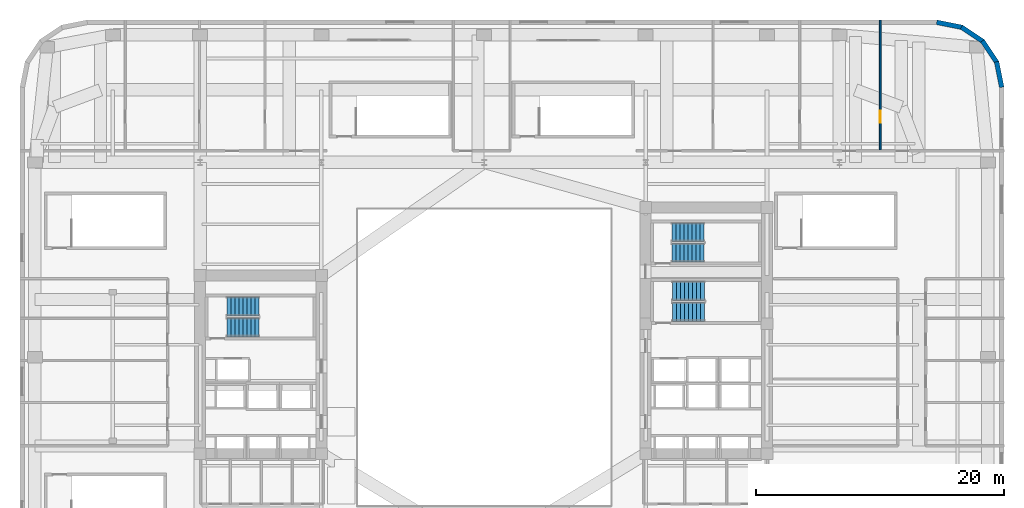
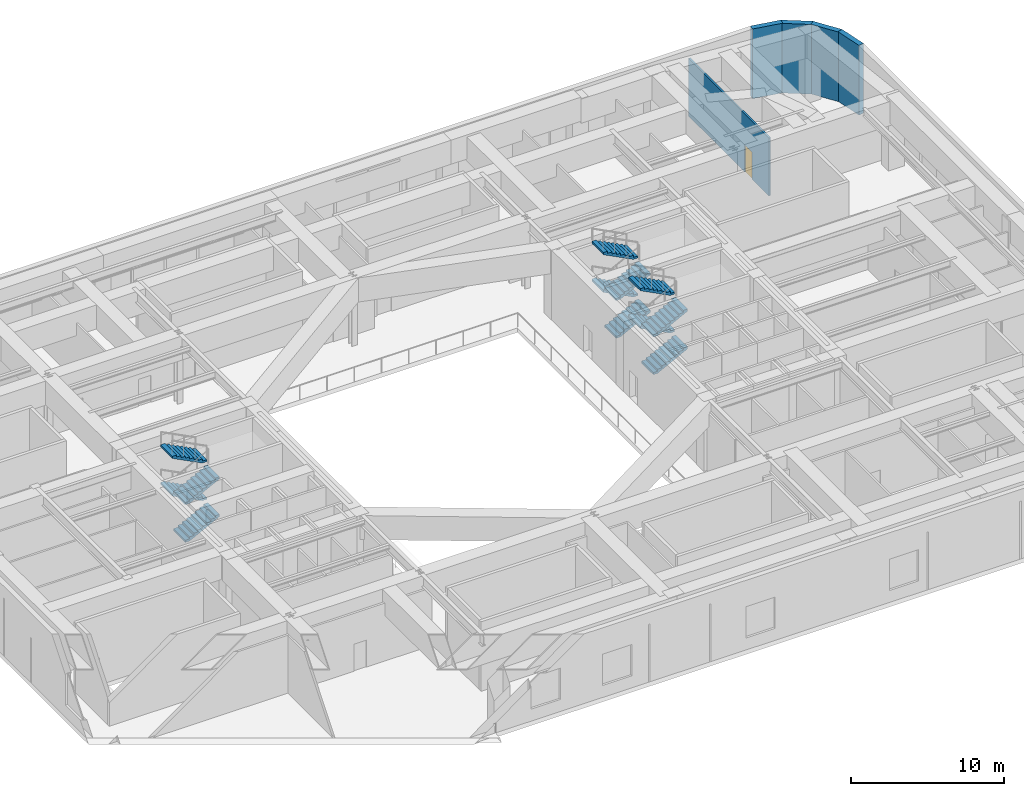
# One storey, part 11 of 16: 12 stair flights, 5 walls, 1 door, 1 opening, 3 elements without a shape of their own.
"""IFC4 building model written with IfcOpenShell, lengths in metres."""

from ifc_helpers import new_model, si_unit, direction, frame, frame_2d, origin, place, context, subcontext, project, spatial, polyline, rectangle, outline, extrude, material, layer, layer_set, type_object, element, fill, aggregate, save


model = new_model("IFC4")

# Units and contexts
model_context = context("Model", 3, precision=1e-05, world=origin(), true_north=direction((0.0, 1.0)))
body_context = subcontext(model_context, "Body", "Model", "MODEL_VIEW")
ifc_project = project(units=[si_unit("LENGTHUNIT", "METRE"), si_unit("AREAUNIT", "SQUARE_METRE"), si_unit("VOLUMEUNIT", "CUBIC_METRE"), si_unit("PLANEANGLEUNIT", "RADIAN"), si_unit("MASSUNIT", "GRAM", prefix="KILO")], contexts=[model_context])

# Site, building, storey
site_placement = place(None, origin())
site = spatial("IfcSite", under=ifc_project, at=site_placement, CompositionType="ELEMENT")
building_placement = place(site_placement, origin())
building = spatial("IfcBuilding", under=site, at=building_placement, Name="Kolvaren Arena Tower", CompositionType="ELEMENT")
storey_placement = place(building_placement, frame((0.0, 0.0, 28.0)))
storey = spatial("IfcBuildingStorey", under=building, at=storey_placement, Name="L05", CompositionType="ELEMENT", Elevation=28.0)

# Walls
ifc_material_1 = material(Name="Precast concrete C50/60", Category="concrete")
ifc_layer_1 = layer(ifc_material_1, 0.3798828125)
ifc_layer_set_1 = layer_set([ifc_layer_1], Name="Precast concrete C50/60")
wall_type_1 = type_object("IfcWallType", Name="EXT-ARENA", PredefinedType="SOLIDWALL", material=ifc_layer_set_1)
for number, where, z_axis, x_axis, name in (
    (1, (78.902587890625, 51.12939453125, 0.0), (0.0, 0.0, 1.0), (0.195135546048, -0.9807762837, 0.0), "Exterior Precast Masonry-Frame Wall (L05)"),
    (2, (77.760498046875, 52.812744140625, 0.0), (0.0, 0.0, 1.0), (0.555502146192, -0.831515102434, 0.0), "Exterior Precast Masonry-Frame Wall (L05)"),
    (3, (76.060791015625, 53.930908203125, 0.0), (0.0, 0.0, 1.0), (0.831515102434, -0.555502146192, 0.0), "Exterior Precast Masonry-Frame Wall (L05)"),
    (4, (74.06298828125, 54.313720703125, 0.0), (0.0, 0.0, 1.0), (0.9807762837, -0.195135546048, 0.0), "Exterior Precast Masonry-Frame Wall (L05)"),
):
    element("IfcWall", number, at=place(storey_placement, frame(where, z_axis=z_axis, x_axis=x_axis)), inside=storey, type_object=wall_type_1, Name=name, PredefinedType="SOLIDWALL", context=body_context, shape_type="SweptSolid", body=[
        extrude(rectangle(XDim=2.10693359375, YDim=0.3798828125, at=frame_2d((1.053466796875, 0.0))), origin(), (0.0, 0.0, 1.0), 5.550048828125),
    ])

# Wall, opening, door
ifc_material_2 = material(Name="Gypsum board partition assembly", Category="gypsum")
ifc_layer_2 = layer(ifc_material_2, 0.135009765625)
ifc_layer_set_2 = layer_set([ifc_layer_2], Name="Gypsum board partition assembly")
wall_type_2 = type_object("IfcWallType", Name="PART-135", PredefinedType="PARTITIONING", material=ifc_layer_set_2)
wall_placement = place(storey_placement, frame((69.5, 44.010009765625, 0.0), z_axis=(0.0, 0.0, 1.0), x_axis=(0.0, 1.0, 0.0)))
wall = element("IfcWall", 5, at=wall_placement, inside=storey, type_object=wall_type_2, Name="Interior Partition Wall (L05)", PredefinedType="PARTITIONING", context=body_context, shape_type="SweptSolid", body=[
    extrude(rectangle(XDim=10.489990234375, YDim=0.135009765625, at=frame_2d((5.2451171875, 0.0))), origin(), (0.0, 0.0, 1.0), 4.610107421875),
])
opening_placement = place(wall_placement, frame((2.199951171875, 0.0, 0.0)))
opening = element("IfcOpeningElement", 6, at=opening_placement, cuts=wall, Name="Opening D05", PredefinedType="OPENING", context=body_context, shape_type="SweptSolid", body=[
    extrude(rectangle(XDim=0.949951171875, YDim=2.14990234375, at=frame_2d((0.47509765625, 1.074951171875))), frame((0.0, 0.077392578125, 0.0), z_axis=(0.0, -1.0, 0.0), x_axis=(1.0, 0.0, 0.0)), (0.0, 0.0, 1.0), 0.155029296875),
])
ifc_material_3 = material(Name="Solid-core oak acoustic office door", Category="wood")
door_type = type_object("IfcDoorType", Name="DOOR-OF-095", OperationType="NOTDEFINED", PredefinedType="DOOR", material=ifc_material_3)
door_placement = place(opening_placement, origin())
door = element("IfcDoor", 7, at=door_placement, inside=storey, type_object=door_type, Name="VIP Merchandise Room Connecting Door (L05)", OperationType="SINGLE_SWING_LEFT", OverallHeight=2.14990234375, OverallWidth=0.949951171875, PredefinedType="DOOR", context=body_context, shape_type="SweptSolid", body=[
    extrude(rectangle(XDim=0.949951171875, YDim=2.14990234375, at=frame_2d((0.47509765625, 1.074951171875))), frame((0.0, 0.02490234375, 0.0), z_axis=(0.0, -1.0, 0.0), x_axis=(1.0, 0.0, 0.0)), (0.0, 0.0, 1.0), 0.050048828125),
])
fill(opening, door)

# Stair, stair flights
ifc_material_4 = material(Name="Concrete 45 MPa", Category="concrete")
stair_type_1 = type_object("IfcStairType", Name="STAIR-CORE-150", PredefinedType="HALF_TURN_STAIR", material=ifc_material_4)
stair_1_placement = place(storey_placement, origin())
stair_1 = element("IfcStair", 8, at=stair_1_placement, inside=storey, type_object=stair_type_1, Name="L05 ST-E2", PredefinedType="HALF_TURN_STAIR")
stair_flight_type_1 = type_object("IfcStairFlightType", Name="FLT-150", PredefinedType="STRAIGHT", material=ifc_material_4)
stair_flight_1_placement = place(storey_placement, frame((52.679931640625, 35.699951171875, 0.0), z_axis=(0.0, 0.0, 1.0), x_axis=(1.0, 0.0, 0.0)))
stair_flight_1 = element("IfcStairFlight", 9, at=stair_flight_1_placement, type_object=stair_flight_type_1, Name="ST-E2 flight 1", NumberOfRisers=9, NumberOfTreads=8, PredefinedType="STRAIGHT", RiserHeight=0.166666667, TreadLength=0.324, context=body_context, shape_type="SweptSolid", body=[
    extrude(outline(polyline([(0.0, 0.0), (0.0, 0.166748046875), (0.323974609375, 0.166748046875), (0.323974609375, 0.333251953125), (0.64794921875, 0.333251953125), (0.64794921875, 0.5), (0.971923828125, 0.5), (0.971923828125, 0.666748046875), (1.2958984375, 0.666748046875), (1.2958984375, 0.833251953125), (1.6201171875, 0.833251953125), (1.6201171875, 1.0), (1.944091796875, 1.0), (1.944091796875, 1.166748046875), (2.26806640625, 1.166748046875), (2.26806640625, 1.333251953125), (2.592041015625, 1.333251953125), (2.592041015625, 1.5), (2.592041015625, 1.164794921875), (0.32763671875, 0.0), (0.0, 0.0)])), frame((0.0, 0.75, 0.0), z_axis=(0.0, -1.0, 0.0), x_axis=(1.0, 0.0, 0.0)), (0.0, 0.0, 1.0), 1.5),
])
stair_flight_2_placement = place(storey_placement, frame((55.27197265625, 37.35009765625, 1.5), z_axis=(0.0, 0.0, 1.0), x_axis=(-1.0, 0.0, 0.0)))
stair_flight_2 = element("IfcStairFlight", 10, at=stair_flight_2_placement, type_object=stair_flight_type_1, Name="ST-E2 flight 2", NumberOfRisers=9, NumberOfTreads=8, PredefinedType="STRAIGHT", RiserHeight=0.166666667, TreadLength=0.324, context=body_context, shape_type="SweptSolid", body=[
    extrude(outline(polyline([(0.0, 0.0), (0.0, 0.166748046875), (0.323974609375, 0.166748046875), (0.323974609375, 0.333251953125), (0.64794921875, 0.333251953125), (0.64794921875, 0.5), (0.971923828125, 0.5), (0.971923828125, 0.666748046875), (1.2958984375, 0.666748046875), (1.2958984375, 0.833251953125), (1.6201171875, 0.833251953125), (1.6201171875, 1.0), (1.944091796875, 1.0), (1.944091796875, 1.166748046875), (2.26806640625, 1.166748046875), (2.26806640625, 1.333251953125), (2.592041015625, 1.333251953125), (2.592041015625, 1.5), (2.592041015625, 1.164794921875), (0.32763671875, 0.0), (0.0, 0.0)])), frame((0.0, 0.75, 0.0), z_axis=(0.0, -1.0, 0.0), x_axis=(1.0, 0.0, 0.0)), (0.0, 0.0, 1.0), 1.5),
])
stair_flight_3_placement = place(storey_placement, frame((52.679931640625, 35.699951171875, 3.0), z_axis=(0.0, 0.0, 1.0), x_axis=(1.0, 0.0, 0.0)))
stair_flight_3 = element("IfcStairFlight", 11, at=stair_flight_3_placement, type_object=stair_flight_type_1, Name="ST-E2 flight 3", NumberOfRisers=9, NumberOfTreads=8, PredefinedType="STRAIGHT", RiserHeight=0.166666667, TreadLength=0.324, context=body_context, shape_type="SweptSolid", body=[
    extrude(outline(polyline([(0.0, 0.0), (0.0, 0.166748046875), (0.323974609375, 0.166748046875), (0.323974609375, 0.333251953125), (0.64794921875, 0.333251953125), (0.64794921875, 0.5), (0.971923828125, 0.5), (0.971923828125, 0.666748046875), (1.2958984375, 0.666748046875), (1.2958984375, 0.833251953125), (1.6201171875, 0.833251953125), (1.6201171875, 1.0), (1.944091796875, 1.0), (1.944091796875, 1.166748046875), (2.26806640625, 1.166748046875), (2.26806640625, 1.333251953125), (2.592041015625, 1.333251953125), (2.592041015625, 1.5), (2.592041015625, 1.164794921875), (0.32763671875, 0.0), (0.0, 0.0)])), frame((0.0, 0.75, 0.0), z_axis=(0.0, -1.0, 0.0), x_axis=(1.0, 0.0, 0.0)), (0.0, 0.0, 1.0), 1.5),
])
stair_flight_4_placement = place(storey_placement, frame((55.27197265625, 37.35009765625, 4.5), z_axis=(0.0, 0.0, 1.0), x_axis=(-1.0, 0.0, 0.0)))
stair_flight_4 = element("IfcStairFlight", 12, at=stair_flight_4_placement, type_object=stair_flight_type_1, Name="ST-E2 flight 4", NumberOfRisers=9, NumberOfTreads=8, PredefinedType="STRAIGHT", RiserHeight=0.166666667, TreadLength=0.324, context=body_context, shape_type="SweptSolid", body=[
    extrude(outline(polyline([(0.0, 0.0), (0.0, 0.166748046875), (0.323974609375, 0.166748046875), (0.323974609375, 0.333251953125), (0.64794921875, 0.333251953125), (0.64794921875, 0.5), (0.971923828125, 0.5), (0.971923828125, 0.666748046875), (1.2958984375, 0.666748046875), (1.2958984375, 0.833251953125), (1.6201171875, 0.833251953125), (1.6201171875, 1.0), (1.944091796875, 1.0), (1.944091796875, 1.166748046875), (2.26806640625, 1.166748046875), (2.26806640625, 1.333251953125), (2.592041015625, 1.333251953125), (2.592041015625, 1.5), (2.592041015625, 1.164794921875), (0.32763671875, 0.0), (0.0, 0.0)])), frame((0.0, 0.75, 0.0), z_axis=(0.0, -1.0, 0.0), x_axis=(1.0, 0.0, 0.0)), (0.0, 0.0, 1.0), 1.5),
])
aggregate(stair_1, [stair_flight_1, stair_flight_2, stair_flight_3, stair_flight_4])

stair_type_2 = type_object("IfcStairType", Name="STAIR-CORE-165", PredefinedType="HALF_TURN_STAIR", material=ifc_material_4)
stair_2_placement = place(storey_placement, origin())
stair_2 = element("IfcStair", 13, at=stair_2_placement, inside=storey, type_object=stair_type_2, Name="L05 ST-W1", PredefinedType="HALF_TURN_STAIR")
stair_flight_type_2 = type_object("IfcStairFlightType", Name="FLT-165", PredefinedType="STRAIGHT", material=ifc_material_4)
stair_flight_5_placement = place(storey_placement, frame((16.719970703125, 29.669921875, 0.0), z_axis=(0.0, 0.0, 1.0), x_axis=(1.0, 0.0, 0.0)))
stair_flight_5 = element("IfcStairFlight", 14, at=stair_flight_5_placement, type_object=stair_flight_type_2, Name="ST-W1 flight 1", NumberOfRisers=9, NumberOfTreads=8, PredefinedType="STRAIGHT", RiserHeight=0.166666667, TreadLength=0.324, context=body_context, shape_type="SweptSolid", body=[
    extrude(outline(polyline([(0.0, 0.0), (0.0, 0.166748046875), (0.323974609375, 0.166748046875), (0.323974609375, 0.333251953125), (0.64794921875, 0.333251953125), (0.64794921875, 0.5), (0.971923828125, 0.5), (0.971923828125, 0.666748046875), (1.2958984375, 0.666748046875), (1.2958984375, 0.833251953125), (1.6201171875, 0.833251953125), (1.6201171875, 1.0), (1.944091796875, 1.0), (1.944091796875, 1.166748046875), (2.26806640625, 1.166748046875), (2.26806640625, 1.333251953125), (2.592041015625, 1.333251953125), (2.592041015625, 1.5), (2.592041015625, 1.164794921875), (0.32763671875, 0.0), (0.0, 0.0)])), frame((0.0, 0.77001953125, 0.0), z_axis=(0.0, -1.0, 0.0), x_axis=(1.0, 0.0, 0.0)), (0.0, 0.0, 1.0), 1.5400390625),
])
stair_flight_6_placement = place(storey_placement, frame((19.31201171875, 31.360107421875, 1.5), z_axis=(0.0, 0.0, 1.0), x_axis=(-1.0, 0.0, 0.0)))
stair_flight_6 = element("IfcStairFlight", 15, at=stair_flight_6_placement, type_object=stair_flight_type_2, Name="ST-W1 flight 2", NumberOfRisers=9, NumberOfTreads=8, PredefinedType="STRAIGHT", RiserHeight=0.166666667, TreadLength=0.324, context=body_context, shape_type="SweptSolid", body=[
    extrude(outline(polyline([(0.0, 0.0), (0.0, 0.166748046875), (0.323974609375, 0.166748046875), (0.323974609375, 0.333251953125), (0.64794921875, 0.333251953125), (0.64794921875, 0.5), (0.971923828125, 0.5), (0.971923828125, 0.666748046875), (1.2958984375, 0.666748046875), (1.2958984375, 0.833251953125), (1.6201171875, 0.833251953125), (1.6201171875, 1.0), (1.944091796875, 1.0), (1.944091796875, 1.166748046875), (2.26806640625, 1.166748046875), (2.26806640625, 1.333251953125), (2.592041015625, 1.333251953125), (2.592041015625, 1.5), (2.592041015625, 1.164794921875), (0.32763671875, 0.0), (0.0, 0.0)])), frame((0.0, 0.77001953125, 0.0), z_axis=(0.0, -1.0, 0.0), x_axis=(1.0, 0.0, 0.0)), (0.0, 0.0, 1.0), 1.5400390625),
])
stair_flight_7_placement = place(storey_placement, frame((16.719970703125, 29.669921875, 3.0), z_axis=(0.0, 0.0, 1.0), x_axis=(1.0, 0.0, 0.0)))
stair_flight_7 = element("IfcStairFlight", 16, at=stair_flight_7_placement, type_object=stair_flight_type_2, Name="ST-W1 flight 3", NumberOfRisers=9, NumberOfTreads=8, PredefinedType="STRAIGHT", RiserHeight=0.166666667, TreadLength=0.324, context=body_context, shape_type="SweptSolid", body=[
    extrude(outline(polyline([(0.0, 0.0), (0.0, 0.166748046875), (0.323974609375, 0.166748046875), (0.323974609375, 0.333251953125), (0.64794921875, 0.333251953125), (0.64794921875, 0.5), (0.971923828125, 0.5), (0.971923828125, 0.666748046875), (1.2958984375, 0.666748046875), (1.2958984375, 0.833251953125), (1.6201171875, 0.833251953125), (1.6201171875, 1.0), (1.944091796875, 1.0), (1.944091796875, 1.166748046875), (2.26806640625, 1.166748046875), (2.26806640625, 1.333251953125), (2.592041015625, 1.333251953125), (2.592041015625, 1.5), (2.592041015625, 1.164794921875), (0.32763671875, 0.0), (0.0, 0.0)])), frame((0.0, 0.77001953125, 0.0), z_axis=(0.0, -1.0, 0.0), x_axis=(1.0, 0.0, 0.0)), (0.0, 0.0, 1.0), 1.5400390625),
])
stair_flight_8_placement = place(storey_placement, frame((19.31201171875, 31.360107421875, 4.5), z_axis=(0.0, 0.0, 1.0), x_axis=(-1.0, 0.0, 0.0)))
stair_flight_8 = element("IfcStairFlight", 17, at=stair_flight_8_placement, type_object=stair_flight_type_2, Name="ST-W1 flight 4", NumberOfRisers=9, NumberOfTreads=8, PredefinedType="STRAIGHT", RiserHeight=0.166666667, TreadLength=0.324, context=body_context, shape_type="SweptSolid", body=[
    extrude(outline(polyline([(0.0, 0.0), (0.0, 0.166748046875), (0.323974609375, 0.166748046875), (0.323974609375, 0.333251953125), (0.64794921875, 0.333251953125), (0.64794921875, 0.5), (0.971923828125, 0.5), (0.971923828125, 0.666748046875), (1.2958984375, 0.666748046875), (1.2958984375, 0.833251953125), (1.6201171875, 0.833251953125), (1.6201171875, 1.0), (1.944091796875, 1.0), (1.944091796875, 1.166748046875), (2.26806640625, 1.166748046875), (2.26806640625, 1.333251953125), (2.592041015625, 1.333251953125), (2.592041015625, 1.5), (2.592041015625, 1.164794921875), (0.32763671875, 0.0), (0.0, 0.0)])), frame((0.0, 0.77001953125, 0.0), z_axis=(0.0, -1.0, 0.0), x_axis=(1.0, 0.0, 0.0)), (0.0, 0.0, 1.0), 1.5400390625),
])
aggregate(stair_2, [stair_flight_5, stair_flight_6, stair_flight_7, stair_flight_8])

stair_3_placement = place(storey_placement, origin())
stair_3 = element("IfcStair", 18, at=stair_3_placement, inside=storey, type_object=stair_type_2, Name="L05 ST-E1", PredefinedType="HALF_TURN_STAIR")
stair_flight_9_placement = place(storey_placement, frame((52.719970703125, 30.919921875, 0.0), z_axis=(0.0, 0.0, 1.0), x_axis=(1.0, 0.0, 0.0)))
stair_flight_9 = element("IfcStairFlight", 19, at=stair_flight_9_placement, type_object=stair_flight_type_2, Name="ST-E1 flight 1", NumberOfRisers=9, NumberOfTreads=8, PredefinedType="STRAIGHT", RiserHeight=0.166666667, TreadLength=0.324, context=body_context, shape_type="SweptSolid", body=[
    extrude(outline(polyline([(0.0, 0.0), (0.0, 0.166748046875), (0.323974609375, 0.166748046875), (0.323974609375, 0.333251953125), (0.64794921875, 0.333251953125), (0.64794921875, 0.5), (0.971923828125, 0.5), (0.971923828125, 0.666748046875), (1.2958984375, 0.666748046875), (1.2958984375, 0.833251953125), (1.6201171875, 0.833251953125), (1.6201171875, 1.0), (1.944091796875, 1.0), (1.944091796875, 1.166748046875), (2.26806640625, 1.166748046875), (2.26806640625, 1.333251953125), (2.592041015625, 1.333251953125), (2.592041015625, 1.5), (2.592041015625, 1.164794921875), (0.32763671875, 0.0), (0.0, 0.0)])), frame((0.0, 0.77001953125, 0.0), z_axis=(0.0, -1.0, 0.0), x_axis=(1.0, 0.0, 0.0)), (0.0, 0.0, 1.0), 1.5400390625),
])
stair_flight_10_placement = place(storey_placement, frame((55.31201171875, 32.610107421875, 1.5), z_axis=(0.0, 0.0, 1.0), x_axis=(-1.0, 0.0, 0.0)))
stair_flight_10 = element("IfcStairFlight", 20, at=stair_flight_10_placement, type_object=stair_flight_type_2, Name="ST-E1 flight 2", NumberOfRisers=9, NumberOfTreads=8, PredefinedType="STRAIGHT", RiserHeight=0.166666667, TreadLength=0.324, context=body_context, shape_type="SweptSolid", body=[
    extrude(outline(polyline([(0.0, 0.0), (0.0, 0.166748046875), (0.323974609375, 0.166748046875), (0.323974609375, 0.333251953125), (0.64794921875, 0.333251953125), (0.64794921875, 0.5), (0.971923828125, 0.5), (0.971923828125, 0.666748046875), (1.2958984375, 0.666748046875), (1.2958984375, 0.833251953125), (1.6201171875, 0.833251953125), (1.6201171875, 1.0), (1.944091796875, 1.0), (1.944091796875, 1.166748046875), (2.26806640625, 1.166748046875), (2.26806640625, 1.333251953125), (2.592041015625, 1.333251953125), (2.592041015625, 1.5), (2.592041015625, 1.164794921875), (0.32763671875, 0.0), (0.0, 0.0)])), frame((0.0, 0.77001953125, 0.0), z_axis=(0.0, -1.0, 0.0), x_axis=(1.0, 0.0, 0.0)), (0.0, 0.0, 1.0), 1.5400390625),
])
stair_flight_11_placement = place(storey_placement, frame((52.719970703125, 30.919921875, 3.0), z_axis=(0.0, 0.0, 1.0), x_axis=(1.0, 0.0, 0.0)))
stair_flight_11 = element("IfcStairFlight", 21, at=stair_flight_11_placement, type_object=stair_flight_type_2, Name="ST-E1 flight 3", NumberOfRisers=9, NumberOfTreads=8, PredefinedType="STRAIGHT", RiserHeight=0.166666667, TreadLength=0.324, context=body_context, shape_type="SweptSolid", body=[
    extrude(outline(polyline([(0.0, 0.0), (0.0, 0.166748046875), (0.323974609375, 0.166748046875), (0.323974609375, 0.333251953125), (0.64794921875, 0.333251953125), (0.64794921875, 0.5), (0.971923828125, 0.5), (0.971923828125, 0.666748046875), (1.2958984375, 0.666748046875), (1.2958984375, 0.833251953125), (1.6201171875, 0.833251953125), (1.6201171875, 1.0), (1.944091796875, 1.0), (1.944091796875, 1.166748046875), (2.26806640625, 1.166748046875), (2.26806640625, 1.333251953125), (2.592041015625, 1.333251953125), (2.592041015625, 1.5), (2.592041015625, 1.164794921875), (0.32763671875, 0.0), (0.0, 0.0)])), frame((0.0, 0.77001953125, 0.0), z_axis=(0.0, -1.0, 0.0), x_axis=(1.0, 0.0, 0.0)), (0.0, 0.0, 1.0), 1.5400390625),
])
stair_flight_12_placement = place(storey_placement, frame((55.31201171875, 32.610107421875, 4.5), z_axis=(0.0, 0.0, 1.0), x_axis=(-1.0, 0.0, 0.0)))
stair_flight_12 = element("IfcStairFlight", 22, at=stair_flight_12_placement, type_object=stair_flight_type_2, Name="ST-E1 flight 4", NumberOfRisers=9, NumberOfTreads=8, PredefinedType="STRAIGHT", RiserHeight=0.166666667, TreadLength=0.324, context=body_context, shape_type="SweptSolid", body=[
    extrude(outline(polyline([(0.0, 0.0), (0.0, 0.166748046875), (0.323974609375, 0.166748046875), (0.323974609375, 0.333251953125), (0.64794921875, 0.333251953125), (0.64794921875, 0.5), (0.971923828125, 0.5), (0.971923828125, 0.666748046875), (1.2958984375, 0.666748046875), (1.2958984375, 0.833251953125), (1.6201171875, 0.833251953125), (1.6201171875, 1.0), (1.944091796875, 1.0), (1.944091796875, 1.166748046875), (2.26806640625, 1.166748046875), (2.26806640625, 1.333251953125), (2.592041015625, 1.333251953125), (2.592041015625, 1.5), (2.592041015625, 1.164794921875), (0.32763671875, 0.0), (0.0, 0.0)])), frame((0.0, 0.77001953125, 0.0), z_axis=(0.0, -1.0, 0.0), x_axis=(1.0, 0.0, 0.0)), (0.0, 0.0, 1.0), 1.5400390625),
])
aggregate(stair_3, [stair_flight_9, stair_flight_10, stair_flight_11, stair_flight_12])

save(model, "model.ifc")
